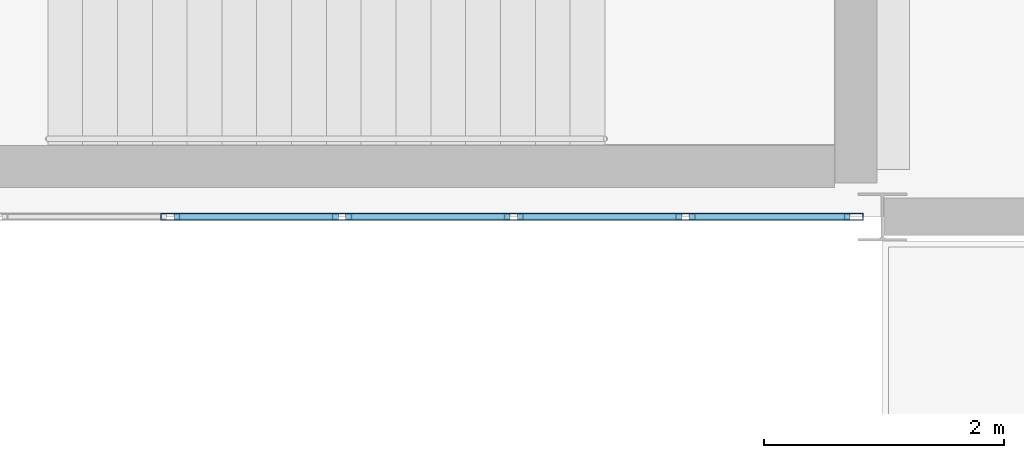
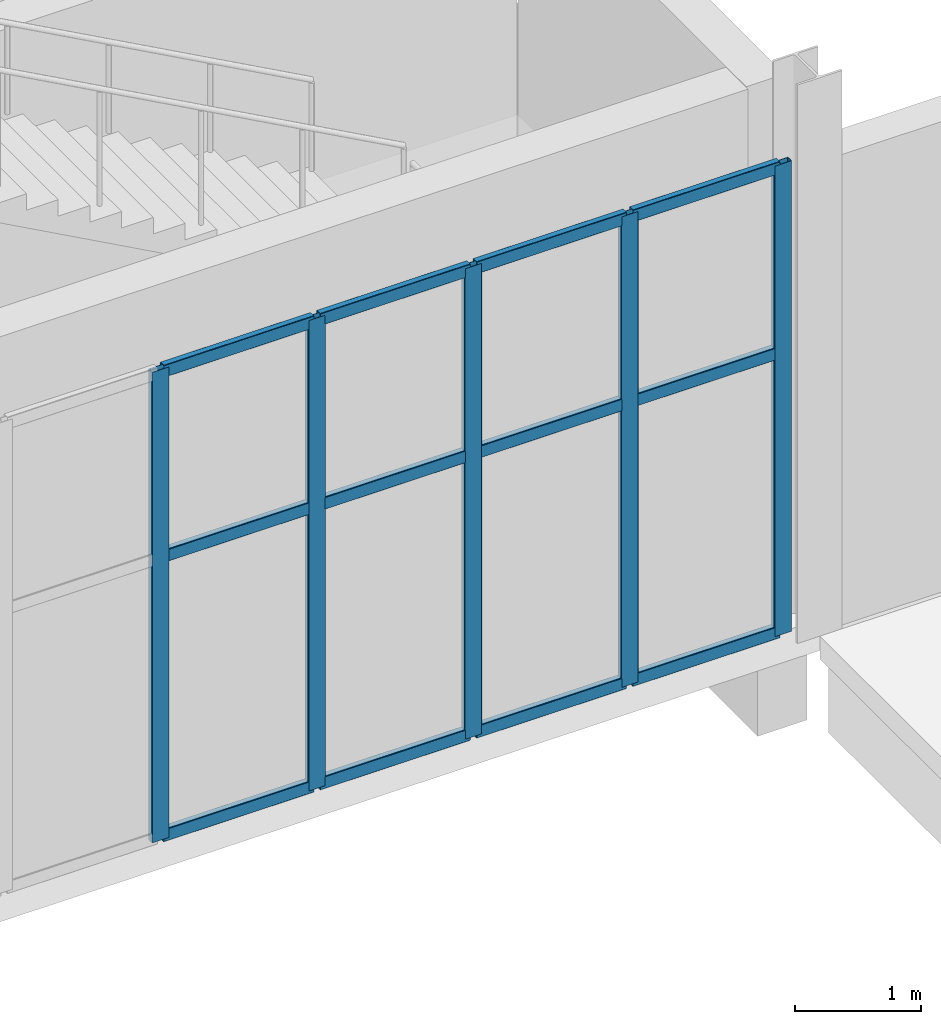
# One storey, part 57 of 95: 17 members, 1 element without a shape of its own.
"""IFC4 building model written with IfcOpenShell, lengths in metres."""

import ifcopenshell
import ifcopenshell.guid

model = None  # the IFC model being written
_history = None  # IfcOwnerHistory: only IFC2X3 demands one
_inside = {}  # id of a spatial element -> (the spatial element, [elements in it])
_under = {}  # id of a project, library or spatial element -> (it, [spatial elements below it])
_declared = {}  # id of a project -> (the project, [libraries it declares])
_typed = {}  # id of a type object -> (the type object, [elements of that type])
_made_of = {}  # id of a material, layer set ... -> (it, [elements and type objects made of it])


def new_model(schema):
    """Start an empty IFC model of exactly this schema.

    Asked for "IFC4X3", IfcOpenShell would pick the latest addendum, in which some entities
    have other attributes; the version numbers below select the first issue.
    IFC2X3 requires an IfcOwnerHistory on every rooted entity: one is made here for all.
    """
    global model, _history
    if schema == "IFC4X3":
        model = ifcopenshell.file(schema_version=(4, 3, 0, 0))
    else:
        model = ifcopenshell.file(schema=schema)
    _inside.clear()
    _under.clear()
    _declared.clear()
    _typed.clear()
    _made_of.clear()
    _history = None
    if model.schema == "IFC2X3":
        org = make("IfcOrganization", Name="unknown")
        user = make(
            "IfcPersonAndOrganization",
            ThePerson=make("IfcPerson", FamilyName="unknown"),
            TheOrganization=org,
        )
        app = make(
            "IfcApplication",
            ApplicationDeveloper=org,
            Version="unknown",
            ApplicationFullName="unknown",
            ApplicationIdentifier="unknown",
        )
        _history = make(
            "IfcOwnerHistory",
            OwningUser=user,
            OwningApplication=app,
            ChangeAction="ADDED",
            CreationDate=0,
        )
    return model


def make(cls, **values):
    """One entity of the class cls with the attributes given. An attribute that is None is left unset."""
    return model.create_entity(
        cls, **{name: value for name, value in values.items() if value is not None}
    )


def rooted(cls, **values):
    """An entity with a GlobalId (a new one), such as an element, a storey or a relation."""
    return make(cls, GlobalId=ifcopenshell.guid.new(), OwnerHistory=_history, **values)


def si_unit(unit_type, name, prefix=None):
    """IfcSIUnit, for example si_unit("LENGTHUNIT", "METRE", prefix="MILLI")."""
    return make("IfcSIUnit", UnitType=unit_type, Prefix=prefix, Name=name)


def assignment(units):
    """IfcUnitAssignment: the units of a project."""
    return None if units is None else make("IfcUnitAssignment", Units=units)


def point(xyz):
    """IfcCartesianPoint."""
    return None if xyz is None else make("IfcCartesianPoint", Coordinates=xyz)


def direction(xyz):
    """IfcDirection."""
    return None if xyz is None else make("IfcDirection", DirectionRatios=xyz)


def frame(location, z_axis=None, x_axis=None):
    """IfcAxis2Placement3D, a coordinate frame: its origin and axes. An axis left out is left unset."""
    return make(
        "IfcAxis2Placement3D",
        Location=point(location),
        Axis=direction(z_axis),
        RefDirection=direction(x_axis),
    )


def frame_2d(location, x_axis=None):
    """IfcAxis2Placement2D, a coordinate frame in the plane: its origin and x axis."""
    return make(
        "IfcAxis2Placement2D", Location=point(location), RefDirection=direction(x_axis)
    )


def origin():
    """The frame at (0, 0, 0) with its axes left unset."""
    return frame((0.0, 0.0, 0.0))


def origin_2d():
    """The frame at (0, 0) in the plane with its x axis left unset."""
    return frame_2d((0.0, 0.0))


def place(relative_to, where):
    """IfcLocalPlacement: puts the frame where relative to a parent placement (None: the world)."""
    return make(
        "IfcLocalPlacement", PlacementRelTo=relative_to, RelativePlacement=where
    )


def context(
    kind, dimensions, precision=None, world=None, true_north=None, identifier=None
):
    """IfcGeometricRepresentationContext, for example the 3D "Model" context."""
    return make(
        "IfcGeometricRepresentationContext",
        ContextIdentifier=identifier,
        ContextType=kind,
        CoordinateSpaceDimension=dimensions,
        Precision=precision,
        WorldCoordinateSystem=world,
        TrueNorth=true_north,
    )


def subcontext(parent, identifier, kind, view, scale=None):
    """IfcGeometricRepresentationSubContext, for example "Body" below "Model"."""
    return make(
        "IfcGeometricRepresentationSubContext",
        ContextIdentifier=identifier,
        ContextType=kind,
        ParentContext=parent,
        TargetScale=scale,
        TargetView=view,
    )


def project(units=None, contexts=None):
    """IfcProject with its units and contexts."""
    return rooted(
        "IfcProject",
        Name="project",
        RepresentationContexts=contexts,
        UnitsInContext=assignment(units),
    )


def spatial(cls, under=None, at=None, **own):
    """A site, building, storey or space (cls), placed at a placement, below another one or the project."""
    s = rooted(cls, ObjectPlacement=at, **own)
    if under is not None:
        _under.setdefault(under.id(), (under, []))[1].append(s)
    return s


def profile(cls, at=None, kind="AREA", **sizes):
    """A parametric profile (cls). Its sizes go by their IFC names, for example OverallWidth=200.0."""
    return make(cls, ProfileType=kind, Position=at, **sizes)


def hollow_rectangle(**sizes):
    """IfcRectangleHollowProfileDef."""
    return profile("IfcRectangleHollowProfileDef", **sizes)


def extrude(swept, where, along, depth):
    """IfcExtrudedAreaSolid: the profile swept, set in the frame where, extruded along a direction by depth."""
    return make(
        "IfcExtrudedAreaSolid",
        SweptArea=swept,
        Position=where,
        ExtrudedDirection=direction(along),
        Depth=depth,
    )


def shape(context_of_items, identifier, shape_type, items):
    """IfcShapeRepresentation: the items that make up one representation, for example the "Body"."""
    return make(
        "IfcShapeRepresentation",
        ContextOfItems=context_of_items,
        RepresentationIdentifier=identifier,
        RepresentationType=shape_type,
        Items=items,
    )


def material(Name=None, Category=None):
    """IfcMaterial."""
    return make("IfcMaterial", Name=Name, Category=Category)


def material_profile(
    of_material, cross_section, Name=None, Category=None, Priority=None
):
    """IfcMaterialProfile: a cross section and its material."""
    return make(
        "IfcMaterialProfile",
        Name=Name,
        Material=of_material,
        Profile=cross_section,
        Priority=Priority,
        Category=Category,
    )


def profile_set(profiles, Name=None, composite=None):
    """IfcMaterialProfileSet."""
    return make(
        "IfcMaterialProfileSet",
        Name=Name,
        MaterialProfiles=profiles,
        CompositeProfile=composite,
    )


def made_of(thing, what):
    """Note that an element or type object is made of a material, layer set ...; save() writes the relation."""
    if what is not None:
        _made_of.setdefault(what.id(), (what, []))[1].append(thing)
    return thing


def type_object(cls, material=None, **own):
    """A type object (cls), such as IfcWallType, which elements share."""
    return made_of(rooted(cls, **own), material)


def element(
    cls,
    number,
    at=None,
    inside=None,
    cuts=None,
    type_object=None,
    material=None,
    context=None,
    identifier="Body",
    shape_type=None,
    held_by="IfcProductDefinitionShape",
    body=None,
    shapes=None,
    **own,
):
    """One element of the class cls, such as IfcWall. Its Tag is "e" and its number.

    at: its placement. inside: the storey or other place that contains it. cuts: it is an
    opening in that element (IfcRelVoidsElement). A single representation is given by context,
    identifier, shape_type and body (its items); several are given by shapes. held_by: the class
    of the entity that holds the representations. save() writes the other relations.
    """
    e = rooted(cls, Tag="e%d" % number, ObjectPlacement=at, **own)
    if body is not None:
        shapes = [shape(context, identifier, shape_type, body)]
    if shapes is not None:
        e.Representation = make(held_by, Representations=shapes)
    if inside is not None:
        _inside.setdefault(inside.id(), (inside, []))[1].append(e)
    if cuts is not None:
        rooted(
            "IfcRelVoidsElement", RelatingBuildingElement=cuts, RelatedOpeningElement=e
        )
    if type_object is not None:
        _typed.setdefault(type_object.id(), (type_object, []))[1].append(e)
    return made_of(e, material)


def aggregate(whole, parts):
    """IfcRelAggregates: a whole, such as a stair, and the parts it consists of."""
    return rooted("IfcRelAggregates", RelatingObject=whole, RelatedObjects=parts)


def save(model, path):
    """Write the relations noted so far, then the file.

    IfcRelAggregates (storeys below a building ...), IfcRelContainedInSpatialStructure (elements
    in a storey), IfcRelDefinesByType, IfcRelAssociatesMaterial and IfcRelDeclares: one each for
    every whole, place, type object, material and project.
    """
    for whole, parts in _under.values():
        aggregate(whole, parts)
    for where, things in _inside.values():
        rooted(
            "IfcRelContainedInSpatialStructure",
            RelatedElements=things,
            RelatingStructure=where,
        )
    for kind, things in _typed.values():
        rooted("IfcRelDefinesByType", RelatedObjects=things, RelatingType=kind)
    for what, things in _made_of.values():
        rooted("IfcRelAssociatesMaterial", RelatedObjects=things, RelatingMaterial=what)
    for by, libraries in _declared.values():
        rooted("IfcRelDeclares", RelatingContext=by, RelatedDefinitions=libraries)
    model.write(path)


model = new_model("IFC4")

# Units and contexts
model_context = context("Model", 3, precision=1e-05, world=origin(), true_north=direction((0.0, 1.0)))
body_context = subcontext(model_context, "Body", "Model", "MODEL_VIEW")
ifc_project = project(units=[si_unit("LENGTHUNIT", "METRE"), si_unit("AREAUNIT", "SQUARE_METRE"), si_unit("VOLUMEUNIT", "CUBIC_METRE"), si_unit("PLANEANGLEUNIT", "RADIAN"), si_unit("MASSUNIT", "GRAM", prefix="KILO")], contexts=[model_context])

# Site, building, storey
site_placement = place(None, origin())
site = spatial("IfcSite", under=ifc_project, at=site_placement, CompositionType="ELEMENT")
building_placement = place(site_placement, origin())
building = spatial("IfcBuilding", under=site, at=building_placement, Name="Shengluoqiao Park Theatre", CompositionType="ELEMENT")
storey_placement = place(building_placement, origin())
storey = spatial("IfcBuildingStorey", under=building, at=storey_placement, Name="L00", CompositionType="ELEMENT", Elevation=0.0)

# Curtain wall, members
ifc_material = material(Name="Aluminium 6063-T6", Category="aluminium")
curtain_wall_type = type_object("IfcCurtainWallType", Name="ENV-CW-CLERE", PredefinedType="NOTDEFINED", material=ifc_material)
curtain_wall_placement = place(storey_placement, origin())
curtain_wall = element("IfcCurtainWall", 1, at=curtain_wall_placement, inside=storey, type_object=curtain_wall_type, Name="L00 Curtain Wall CWX-L00-0167", PredefinedType="NOTDEFINED")
ifc_material_profile_1 = material_profile(ifc_material, hollow_rectangle(XDim=0.06005859375, YDim=0.159912109375, WallThickness=0.00390625, InnerFilletRadius=0.00390625, OuterFilletRadius=0.008056640625, at=origin_2d()), Name="ALU MULLION 160x60x4")
ifc_profile_set_1 = profile_set([ifc_material_profile_1], Name="Aluminium 6063-T6")
member_type_1 = type_object("IfcMemberType", Name="ENV-MUL-160", PredefinedType="MULLION", material=ifc_profile_set_1)
member_1_placement = place(storey_placement, frame((142.46923828125, 84.0, 0.0), z_axis=(0.0, 0.0, 1.0), x_axis=(0.0, 1.0, 0.0)))
member_1 = element("IfcMember", 2, at=member_1_placement, type_object=member_type_1, Name="CW-06 mullion 3", PredefinedType="MULLION", context=body_context, shape_type="SweptSolid", body=[
    extrude(hollow_rectangle(XDim=0.06005859375, YDim=0.159912109375, WallThickness=0.00390625, InnerFilletRadius=0.00390625, OuterFilletRadius=0.008056640625, at=origin_2d()), origin(), (0.0, 0.0, 1.0), 4.550048828125),
])
member_2_placement = place(storey_placement, frame((143.89990234375, 84.0, 0.0), z_axis=(0.0, 0.0, 1.0), x_axis=(0.0, 1.0, 0.0)))
member_2 = element("IfcMember", 3, at=member_2_placement, type_object=member_type_1, Name="CW-06 mullion 4", PredefinedType="MULLION", context=body_context, shape_type="SweptSolid", body=[
    extrude(hollow_rectangle(XDim=0.06005859375, YDim=0.159912109375, WallThickness=0.00390625, InnerFilletRadius=0.00390625, OuterFilletRadius=0.008056640625, at=origin_2d()), origin(), (0.0, 0.0, 1.0), 4.550048828125),
])
member_3_placement = place(storey_placement, frame((145.33056640625, 84.0, 0.0), z_axis=(0.0, 0.0, 1.0), x_axis=(0.0, 1.0, 0.0)))
member_3 = element("IfcMember", 4, at=member_3_placement, type_object=member_type_1, Name="CW-06 mullion 5", PredefinedType="MULLION", context=body_context, shape_type="SweptSolid", body=[
    extrude(hollow_rectangle(XDim=0.06005859375, YDim=0.159912109375, WallThickness=0.00390625, InnerFilletRadius=0.00390625, OuterFilletRadius=0.008056640625, at=origin_2d()), origin(), (0.0, 0.0, 1.0), 4.550048828125),
])
member_4_placement = place(storey_placement, frame((146.76123046875, 84.0, 0.0), z_axis=(0.0, 0.0, 1.0), x_axis=(0.0, 1.0, 0.0)))
member_4 = element("IfcMember", 5, at=member_4_placement, type_object=member_type_1, Name="CW-06 mullion 6", PredefinedType="MULLION", context=body_context, shape_type="SweptSolid", body=[
    extrude(hollow_rectangle(XDim=0.06005859375, YDim=0.159912109375, WallThickness=0.00390625, InnerFilletRadius=0.00390625, OuterFilletRadius=0.008056640625, at=origin_2d()), origin(), (0.0, 0.0, 1.0), 4.550048828125),
])
member_5_placement = place(storey_placement, frame((148.162109375, 84.0, 0.0), z_axis=(0.0, 0.0, 1.0), x_axis=(0.0, 1.0, 0.0)))
member_5 = element("IfcMember", 6, at=member_5_placement, type_object=member_type_1, Name="CW-06 mullion 7", PredefinedType="MULLION", context=body_context, shape_type="SweptSolid", body=[
    extrude(hollow_rectangle(XDim=0.06005859375, YDim=0.159912109375, WallThickness=0.00390625, InnerFilletRadius=0.00390625, OuterFilletRadius=0.008056640625, at=origin_2d()), origin(), (0.0, 0.0, 1.0), 4.550048828125),
])
ifc_material_profile_2 = material_profile(ifc_material, hollow_rectangle(XDim=0.06005859375, YDim=0.1201171875, WallThickness=0.00390625, InnerFilletRadius=0.00390625, OuterFilletRadius=0.008056640625, at=origin_2d()), Name="ALU TRANSOM 120x60x4")
ifc_profile_set_2 = profile_set([ifc_material_profile_2], Name="Aluminium 6063-T6")
member_type_2 = type_object("IfcMemberType", Name="ENV-TRN-120", PredefinedType="USERDEFINED", material=ifc_profile_set_2)
member_6_placement = place(storey_placement, frame((142.499267578125, 84.0, 0.030029296875), z_axis=(1.0, 0.0, 0.0), x_axis=(0.0, 1.0, 0.0)))
member_6 = element("IfcMember", 7, at=member_6_placement, type_object=member_type_2, Name="CW-06 transom 3.1", ObjectType="TRANSOM", PredefinedType="USERDEFINED", context=body_context, shape_type="SweptSolid", body=[
    extrude(hollow_rectangle(XDim=0.06005859375, YDim=0.1201171875, WallThickness=0.00390625, InnerFilletRadius=0.00390625, OuterFilletRadius=0.008056640625, at=origin_2d()), origin(), (0.0, 0.0, 1.0), 1.370849609375),
])
member_7_placement = place(storey_placement, frame((142.499267578125, 84.0, 2.72998046875), z_axis=(1.0, 0.0, 0.0), x_axis=(0.0, 1.0, 0.0)))
member_7 = element("IfcMember", 8, at=member_7_placement, type_object=member_type_2, Name="CW-06 transom 3.2", ObjectType="TRANSOM", PredefinedType="USERDEFINED", context=body_context, shape_type="SweptSolid", body=[
    extrude(hollow_rectangle(XDim=0.06005859375, YDim=0.1201171875, WallThickness=0.00390625, InnerFilletRadius=0.00390625, OuterFilletRadius=0.008056640625, at=origin_2d()), origin(), (0.0, 0.0, 1.0), 1.370849609375),
])
member_8_placement = place(storey_placement, frame((142.499267578125, 84.0, 4.52001953125), z_axis=(1.0, 0.0, 0.0), x_axis=(0.0, 1.0, 0.0)))
member_8 = element("IfcMember", 9, at=member_8_placement, type_object=member_type_2, Name="CW-06 transom 3.3", ObjectType="TRANSOM", PredefinedType="USERDEFINED", context=body_context, shape_type="SweptSolid", body=[
    extrude(hollow_rectangle(XDim=0.06005859375, YDim=0.1201171875, WallThickness=0.00390625, InnerFilletRadius=0.00390625, OuterFilletRadius=0.008056640625, at=origin_2d()), origin(), (0.0, 0.0, 1.0), 1.370849609375),
])
member_9_placement = place(storey_placement, frame((143.929931640625, 84.0, 0.030029296875), z_axis=(1.0, 0.0, 0.0), x_axis=(0.0, 1.0, 0.0)))
member_9 = element("IfcMember", 10, at=member_9_placement, type_object=member_type_2, Name="CW-06 transom 4.1", ObjectType="TRANSOM", PredefinedType="USERDEFINED", context=body_context, shape_type="SweptSolid", body=[
    extrude(hollow_rectangle(XDim=0.06005859375, YDim=0.1201171875, WallThickness=0.00390625, InnerFilletRadius=0.00390625, OuterFilletRadius=0.008056640625, at=origin_2d()), origin(), (0.0, 0.0, 1.0), 1.370849609375),
])
member_10_placement = place(storey_placement, frame((143.929931640625, 84.0, 2.72998046875), z_axis=(1.0, 0.0, 0.0), x_axis=(0.0, 1.0, 0.0)))
member_10 = element("IfcMember", 11, at=member_10_placement, type_object=member_type_2, Name="CW-06 transom 4.2", ObjectType="TRANSOM", PredefinedType="USERDEFINED", context=body_context, shape_type="SweptSolid", body=[
    extrude(hollow_rectangle(XDim=0.06005859375, YDim=0.1201171875, WallThickness=0.00390625, InnerFilletRadius=0.00390625, OuterFilletRadius=0.008056640625, at=origin_2d()), origin(), (0.0, 0.0, 1.0), 1.370849609375),
])
member_11_placement = place(storey_placement, frame((143.929931640625, 84.0, 4.52001953125), z_axis=(1.0, 0.0, 0.0), x_axis=(0.0, 1.0, 0.0)))
member_11 = element("IfcMember", 12, at=member_11_placement, type_object=member_type_2, Name="CW-06 transom 4.3", ObjectType="TRANSOM", PredefinedType="USERDEFINED", context=body_context, shape_type="SweptSolid", body=[
    extrude(hollow_rectangle(XDim=0.06005859375, YDim=0.1201171875, WallThickness=0.00390625, InnerFilletRadius=0.00390625, OuterFilletRadius=0.008056640625, at=origin_2d()), origin(), (0.0, 0.0, 1.0), 1.370849609375),
])
member_12_placement = place(storey_placement, frame((145.360595703125, 84.0, 0.030029296875), z_axis=(1.0, 0.0, 0.0), x_axis=(0.0, 1.0, 0.0)))
member_12 = element("IfcMember", 13, at=member_12_placement, type_object=member_type_2, Name="CW-06 transom 5.1", ObjectType="TRANSOM", PredefinedType="USERDEFINED", context=body_context, shape_type="SweptSolid", body=[
    extrude(hollow_rectangle(XDim=0.06005859375, YDim=0.1201171875, WallThickness=0.00390625, InnerFilletRadius=0.00390625, OuterFilletRadius=0.008056640625, at=origin_2d()), origin(), (0.0, 0.0, 1.0), 1.370849609375),
])
member_13_placement = place(storey_placement, frame((145.360595703125, 84.0, 2.72998046875), z_axis=(1.0, 0.0, 0.0), x_axis=(0.0, 1.0, 0.0)))
member_13 = element("IfcMember", 14, at=member_13_placement, type_object=member_type_2, Name="CW-06 transom 5.2", ObjectType="TRANSOM", PredefinedType="USERDEFINED", context=body_context, shape_type="SweptSolid", body=[
    extrude(hollow_rectangle(XDim=0.06005859375, YDim=0.1201171875, WallThickness=0.00390625, InnerFilletRadius=0.00390625, OuterFilletRadius=0.008056640625, at=origin_2d()), origin(), (0.0, 0.0, 1.0), 1.370849609375),
])
member_14_placement = place(storey_placement, frame((145.360595703125, 84.0, 4.52001953125), z_axis=(1.0, 0.0, 0.0), x_axis=(0.0, 1.0, 0.0)))
member_14 = element("IfcMember", 15, at=member_14_placement, type_object=member_type_2, Name="CW-06 transom 5.3", ObjectType="TRANSOM", PredefinedType="USERDEFINED", context=body_context, shape_type="SweptSolid", body=[
    extrude(hollow_rectangle(XDim=0.06005859375, YDim=0.1201171875, WallThickness=0.00390625, InnerFilletRadius=0.00390625, OuterFilletRadius=0.008056640625, at=origin_2d()), origin(), (0.0, 0.0, 1.0), 1.370849609375),
])
member_15_placement = place(storey_placement, frame((146.791259765625, 84.0, 0.030029296875), z_axis=(1.0, 0.0, 0.0), x_axis=(0.0, 1.0, 0.0)))
member_15 = element("IfcMember", 16, at=member_15_placement, type_object=member_type_2, Name="CW-06 transom 6.1", ObjectType="TRANSOM", PredefinedType="USERDEFINED", context=body_context, shape_type="SweptSolid", body=[
    extrude(hollow_rectangle(XDim=0.06005859375, YDim=0.1201171875, WallThickness=0.00390625, InnerFilletRadius=0.00390625, OuterFilletRadius=0.008056640625, at=origin_2d()), origin(), (0.0, 0.0, 1.0), 1.3408203125),
])
member_16_placement = place(storey_placement, frame((146.791259765625, 84.0, 2.72998046875), z_axis=(1.0, 0.0, 0.0), x_axis=(0.0, 1.0, 0.0)))
member_16 = element("IfcMember", 17, at=member_16_placement, type_object=member_type_2, Name="CW-06 transom 6.2", ObjectType="TRANSOM", PredefinedType="USERDEFINED", context=body_context, shape_type="SweptSolid", body=[
    extrude(hollow_rectangle(XDim=0.06005859375, YDim=0.1201171875, WallThickness=0.00390625, InnerFilletRadius=0.00390625, OuterFilletRadius=0.008056640625, at=origin_2d()), origin(), (0.0, 0.0, 1.0), 1.3408203125),
])
member_17_placement = place(storey_placement, frame((146.791259765625, 84.0, 4.52001953125), z_axis=(1.0, 0.0, 0.0), x_axis=(0.0, 1.0, 0.0)))
member_17 = element("IfcMember", 18, at=member_17_placement, type_object=member_type_2, Name="CW-06 transom 6.3", ObjectType="TRANSOM", PredefinedType="USERDEFINED", context=body_context, shape_type="SweptSolid", body=[
    extrude(hollow_rectangle(XDim=0.06005859375, YDim=0.1201171875, WallThickness=0.00390625, InnerFilletRadius=0.00390625, OuterFilletRadius=0.008056640625, at=origin_2d()), origin(), (0.0, 0.0, 1.0), 1.3408203125),
])
aggregate(curtain_wall, [member_1, member_2, member_3, member_4, member_5, member_6, member_7, member_8, member_9, member_10, member_11, member_12, member_13, member_14, member_15, member_16, member_17])

save(model, "model.ifc")
